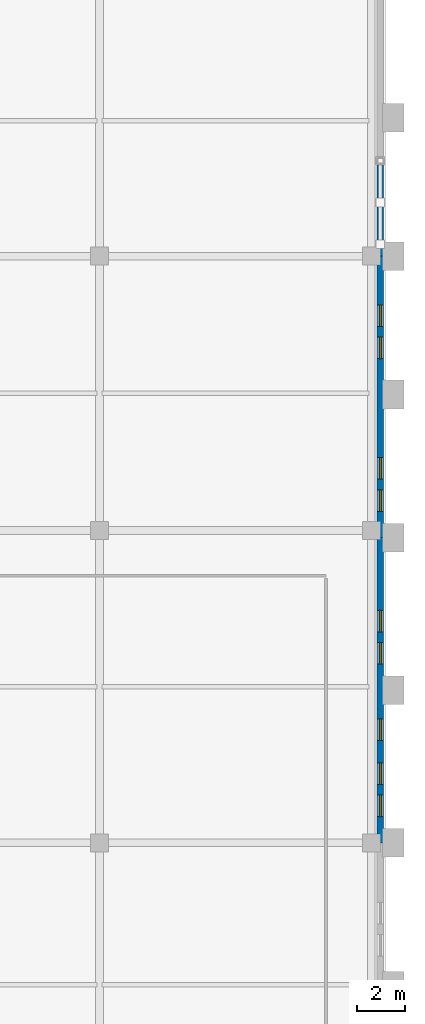
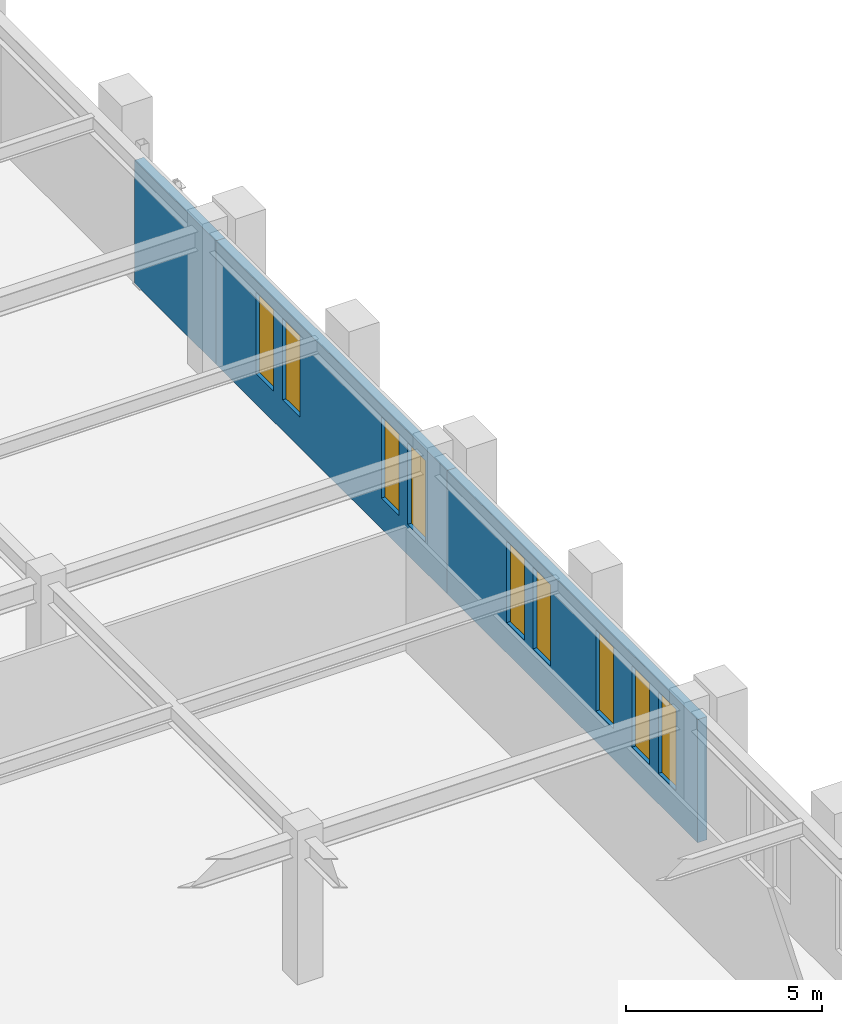
# One storey, part 101 of 126: 9 windows, 3 walls, 9 openings.
"""IFC4 building model written with IfcOpenShell, lengths in metres."""

from ifc_helpers import new_model, si_unit, derived_unit, direction, frame, frame_2d, origin, place, context, subcontext, project, spatial, rectangle, extrude, material, layer, layer_set, type_object, element, fill, save


model = new_model("IFC4")

# Units and contexts
model_context = context("Model", 3, precision=1e-05, world=origin(), true_north=direction((0.0, 1.0)))
body_context = subcontext(model_context, "Body", "Model", "MODEL_VIEW")
ifc_project = project(units=[si_unit("LENGTHUNIT", "METRE"), si_unit("AREAUNIT", "SQUARE_METRE"), si_unit("VOLUMEUNIT", "CUBIC_METRE"), si_unit("PLANEANGLEUNIT", "RADIAN"), si_unit("MASSUNIT", "GRAM", prefix="KILO"), derived_unit("THERMALTRANSMITTANCEUNIT", [(si_unit("MASSUNIT", "GRAM", prefix="KILO"), 1), (si_unit("TIMEUNIT", "SECOND"), -3), (si_unit("THERMODYNAMICTEMPERATUREUNIT", "KELVIN"), -1)])], contexts=[model_context])

# Site, building, storey
site_placement = place(None, origin())
site = spatial("IfcSite", under=ifc_project, at=site_placement, CompositionType="ELEMENT")
building_placement = place(site_placement, origin())
building = spatial("IfcBuilding", under=site, at=building_placement, Name="Valcora Ridge Arena", CompositionType="ELEMENT")
storey_placement = place(building_placement, frame((0.0, 0.0, 11.39990234375)))
storey = spatial("IfcBuildingStorey", under=building, at=storey_placement, Name="L02", CompositionType="ELEMENT", Elevation=11.39990234375)

# Wall, openings, windows
ifc_material_1 = material(Name="Bush-hammered Andean travertine on concrete backup C40/50", Category="masonry")
ifc_layer = layer(ifc_material_1, 0.280029296875, Name="Bush-hammered Andean travertine on concrete backup C40/50")
ifc_layer_set = layer_set([ifc_layer], Name="Bush-hammered Andean travertine on concrete backup C40/50")
wall_type = type_object("IfcWallType", Name="TY-WALL-EW-TRV-28-38", PredefinedType="STANDARD", material=ifc_layer_set)
wall_1_placement = place(storey_placement, frame((191.780029296875, 95.60009765625, 0.0), z_axis=(0.0, 0.0, 1.0), x_axis=(0.0, 1.0, 0.0)))
wall_1 = element("IfcWall", 1, at=wall_1_placement, inside=storey, type_object=wall_type, Name="EW-TRV-28-38 WAL-EW-0180", PredefinedType="STANDARD", context=body_context, shape_type="SweptSolid", body=[
    extrude(rectangle(XDim=12.7998046875, YDim=0.280029296875, at=frame_2d((6.39990234375, 0.0))), origin(), (0.0, 0.0, 1.0), 3.838134765625),
])
opening_1_placement = place(wall_1_placement, frame((1.10009765625, 0.0, 0.949951171875)))
opening_1 = element("IfcOpeningElement", 2, at=opening_1_placement, cuts=wall_1, Name="Opening W-GLAN-90X254", PredefinedType="OPENING", context=body_context, shape_type="SweptSolid", body=[
    extrude(rectangle(XDim=0.89990234375, YDim=2.5400390625, at=frame_2d((0.449951171875, 1.27001953125))), frame((0.0, 0.14990234375, 0.0), z_axis=(0.0, -1.0, 0.0), x_axis=(1.0, 0.0, 0.0)), (0.0, 0.0, 1.0), 0.300048828125),
])
opening_2_placement = place(wall_1_placement, frame((2.449951171875, 0.0, 0.949951171875)))
opening_2 = element("IfcOpeningElement", 3, at=opening_2_placement, cuts=wall_1, Name="Opening W-GLAN-90X254", PredefinedType="OPENING", context=body_context, shape_type="SweptSolid", body=[
    extrude(rectangle(XDim=0.89990234375, YDim=2.5400390625, at=frame_2d((0.449951171875, 1.27001953125))), frame((0.0, 0.14990234375, 0.0), z_axis=(0.0, -1.0, 0.0), x_axis=(1.0, 0.0, 0.0)), (0.0, 0.0, 1.0), 0.300048828125),
])
opening_3_placement = place(wall_1_placement, frame((4.300048828125, 0.0, 0.949951171875)))
opening_3 = element("IfcOpeningElement", 4, at=opening_3_placement, cuts=wall_1, Name="Opening W-GLAN-90X254", PredefinedType="OPENING", context=body_context, shape_type="SweptSolid", body=[
    extrude(rectangle(XDim=0.89990234375, YDim=2.5400390625, at=frame_2d((0.449951171875, 1.27001953125))), frame((0.0, 0.14990234375, 0.0), z_axis=(0.0, -1.0, 0.0), x_axis=(1.0, 0.0, 0.0)), (0.0, 0.0, 1.0), 0.300048828125),
])
opening_4_placement = place(wall_1_placement, frame((7.5, 0.0, 0.949951171875)))
opening_4 = element("IfcOpeningElement", 5, at=opening_4_placement, cuts=wall_1, Name="Opening W-GLAN-90X254", PredefinedType="OPENING", context=body_context, shape_type="SweptSolid", body=[
    extrude(rectangle(XDim=0.89990234375, YDim=2.5400390625, at=frame_2d((0.449951171875, 1.27001953125))), frame((0.0, 0.14990234375, 0.0), z_axis=(0.0, -1.0, 0.0), x_axis=(1.0, 0.0, 0.0)), (0.0, 0.0, 1.0), 0.300048828125),
])
opening_5_placement = place(wall_1_placement, frame((8.85009765625, 0.0, 0.949951171875)))
opening_5 = element("IfcOpeningElement", 6, at=opening_5_placement, cuts=wall_1, Name="Opening W-GLAN-90X254", PredefinedType="OPENING", context=body_context, shape_type="SweptSolid", body=[
    extrude(rectangle(XDim=0.89990234375, YDim=2.5400390625, at=frame_2d((0.449951171875, 1.27001953125))), frame((0.0, 0.14990234375, 0.0), z_axis=(0.0, -1.0, 0.0), x_axis=(1.0, 0.0, 0.0)), (0.0, 0.0, 1.0), 0.300048828125),
])
ifc_material_2 = material(Name="Low-iron solar-control double glazing SHGC 0.28", Category="glass")
window_type = type_object("IfcWindowType", Name="TY-WINDOW-W-GLAN-90X254", PartitioningType="DOUBLE_PANEL_VERTICAL", PredefinedType="WINDOW", material=ifc_material_2)
window_1_placement = place(opening_1_placement, origin())
window_1 = element("IfcWindow", 7, at=window_1_placement, inside=storey, type_object=window_type, Name="W-GLAN-90X254 WIN-EX-0547", OverallHeight=2.5400390625, OverallWidth=0.89990234375, PartitioningType="DOUBLE_PANEL_VERTICAL", PredefinedType="WINDOW", context=body_context, shape_type="SweptSolid", body=[
    extrude(rectangle(XDim=0.89990234375, YDim=2.5400390625, at=frame_2d((0.449951171875, 1.27001953125))), frame((0.0, 0.030029296875, 0.0), z_axis=(0.0, -1.0, 0.0), x_axis=(1.0, 0.0, 0.0)), (0.0, 0.0, 1.0), 0.06005859375),
])
fill(opening_1, window_1)
window_2_placement = place(opening_2_placement, origin())
window_2 = element("IfcWindow", 8, at=window_2_placement, inside=storey, type_object=window_type, Name="W-GLAN-90X254 WIN-EX-0548", OverallHeight=2.5400390625, OverallWidth=0.89990234375, PartitioningType="DOUBLE_PANEL_VERTICAL", PredefinedType="WINDOW", context=body_context, shape_type="SweptSolid", body=[
    extrude(rectangle(XDim=0.89990234375, YDim=2.5400390625, at=frame_2d((0.449951171875, 1.27001953125))), frame((0.0, 0.030029296875, 0.0), z_axis=(0.0, -1.0, 0.0), x_axis=(1.0, 0.0, 0.0)), (0.0, 0.0, 1.0), 0.06005859375),
])
fill(opening_2, window_2)
window_3_placement = place(opening_3_placement, origin())
window_3 = element("IfcWindow", 9, at=window_3_placement, inside=storey, type_object=window_type, Name="W-GLAN-90X254 WIN-EX-0549", OverallHeight=2.5400390625, OverallWidth=0.89990234375, PartitioningType="DOUBLE_PANEL_VERTICAL", PredefinedType="WINDOW", context=body_context, shape_type="SweptSolid", body=[
    extrude(rectangle(XDim=0.89990234375, YDim=2.5400390625, at=frame_2d((0.449951171875, 1.27001953125))), frame((0.0, 0.030029296875, 0.0), z_axis=(0.0, -1.0, 0.0), x_axis=(1.0, 0.0, 0.0)), (0.0, 0.0, 1.0), 0.06005859375),
])
fill(opening_3, window_3)
window_4_placement = place(opening_4_placement, origin())
window_4 = element("IfcWindow", 10, at=window_4_placement, inside=storey, type_object=window_type, Name="W-GLAN-90X254 WIN-EX-0550", OverallHeight=2.5400390625, OverallWidth=0.89990234375, PartitioningType="DOUBLE_PANEL_VERTICAL", PredefinedType="WINDOW", context=body_context, shape_type="SweptSolid", body=[
    extrude(rectangle(XDim=0.89990234375, YDim=2.5400390625, at=frame_2d((0.449951171875, 1.27001953125))), frame((0.0, 0.030029296875, 0.0), z_axis=(0.0, -1.0, 0.0), x_axis=(1.0, 0.0, 0.0)), (0.0, 0.0, 1.0), 0.06005859375),
])
fill(opening_4, window_4)
window_5_placement = place(opening_5_placement, origin())
window_5 = element("IfcWindow", 11, at=window_5_placement, inside=storey, type_object=window_type, Name="W-GLAN-90X254 WIN-EX-0551", OverallHeight=2.5400390625, OverallWidth=0.89990234375, PartitioningType="DOUBLE_PANEL_VERTICAL", PredefinedType="WINDOW", context=body_context, shape_type="SweptSolid", body=[
    extrude(rectangle(XDim=0.89990234375, YDim=2.5400390625, at=frame_2d((0.449951171875, 1.27001953125))), frame((0.0, 0.030029296875, 0.0), z_axis=(0.0, -1.0, 0.0), x_axis=(1.0, 0.0, 0.0)), (0.0, 0.0, 1.0), 0.06005859375),
])
fill(opening_5, window_5)

wall_2_placement = place(storey_placement, frame((191.780029296875, 108.39990234375, 0.0), z_axis=(0.0, 0.0, 1.0), x_axis=(0.0, 1.0, 0.0)))
wall_2 = element("IfcWall", 12, at=wall_2_placement, inside=storey, type_object=wall_type, Name="EW-TRV-28-38 WAL-EW-0181", PredefinedType="STANDARD", context=body_context, shape_type="SweptSolid", body=[
    extrude(rectangle(XDim=11.800048828125, YDim=0.280029296875, at=frame_2d((5.89990234375, 0.0))), origin(), (0.0, 0.0, 1.0), 3.838134765625),
])
opening_6_placement = place(wall_2_placement, frame((1.10009765625, 0.0, 0.949951171875)))
opening_6 = element("IfcOpeningElement", 13, at=opening_6_placement, cuts=wall_2, Name="Opening W-GLAN-90X254", PredefinedType="OPENING", context=body_context, shape_type="SweptSolid", body=[
    extrude(rectangle(XDim=0.89990234375, YDim=2.5400390625, at=frame_2d((0.449951171875, 1.27001953125))), frame((0.0, 0.14990234375, 0.0), z_axis=(0.0, -1.0, 0.0), x_axis=(1.0, 0.0, 0.0)), (0.0, 0.0, 1.0), 0.300048828125),
])
opening_7_placement = place(wall_2_placement, frame((2.449951171875, 0.0, 0.949951171875)))
opening_7 = element("IfcOpeningElement", 14, at=opening_7_placement, cuts=wall_2, Name="Opening W-GLAN-90X254", PredefinedType="OPENING", context=body_context, shape_type="SweptSolid", body=[
    extrude(rectangle(XDim=0.89990234375, YDim=2.5400390625, at=frame_2d((0.449951171875, 1.27001953125))), frame((0.0, 0.14990234375, 0.0), z_axis=(0.0, -1.0, 0.0), x_axis=(1.0, 0.0, 0.0)), (0.0, 0.0, 1.0), 0.300048828125),
])
opening_8_placement = place(wall_2_placement, frame((7.5, 0.0, 0.949951171875)))
opening_8 = element("IfcOpeningElement", 15, at=opening_8_placement, cuts=wall_2, Name="Opening W-GLAN-90X254", PredefinedType="OPENING", context=body_context, shape_type="SweptSolid", body=[
    extrude(rectangle(XDim=0.89990234375, YDim=2.5400390625, at=frame_2d((0.449951171875, 1.27001953125))), frame((0.0, 0.14990234375, 0.0), z_axis=(0.0, -1.0, 0.0), x_axis=(1.0, 0.0, 0.0)), (0.0, 0.0, 1.0), 0.300048828125),
])
opening_9_placement = place(wall_2_placement, frame((8.85009765625, 0.0, 0.949951171875)))
opening_9 = element("IfcOpeningElement", 16, at=opening_9_placement, cuts=wall_2, Name="Opening W-GLAN-90X254", PredefinedType="OPENING", context=body_context, shape_type="SweptSolid", body=[
    extrude(rectangle(XDim=0.89990234375, YDim=2.5400390625, at=frame_2d((0.449951171875, 1.27001953125))), frame((0.0, 0.14990234375, 0.0), z_axis=(0.0, -1.0, 0.0), x_axis=(1.0, 0.0, 0.0)), (0.0, 0.0, 1.0), 0.300048828125),
])
window_6_placement = place(opening_6_placement, origin())
window_6 = element("IfcWindow", 17, at=window_6_placement, inside=storey, type_object=window_type, Name="W-GLAN-90X254 WIN-EX-0552", OverallHeight=2.5400390625, OverallWidth=0.89990234375, PartitioningType="DOUBLE_PANEL_VERTICAL", PredefinedType="WINDOW", context=body_context, shape_type="SweptSolid", body=[
    extrude(rectangle(XDim=0.89990234375, YDim=2.5400390625, at=frame_2d((0.449951171875, 1.27001953125))), frame((0.0, 0.030029296875, 0.0), z_axis=(0.0, -1.0, 0.0), x_axis=(1.0, 0.0, 0.0)), (0.0, 0.0, 1.0), 0.06005859375),
])
fill(opening_6, window_6)
window_7_placement = place(opening_7_placement, origin())
window_7 = element("IfcWindow", 18, at=window_7_placement, inside=storey, type_object=window_type, Name="W-GLAN-90X254 WIN-EX-0553", OverallHeight=2.5400390625, OverallWidth=0.89990234375, PartitioningType="DOUBLE_PANEL_VERTICAL", PredefinedType="WINDOW", context=body_context, shape_type="SweptSolid", body=[
    extrude(rectangle(XDim=0.89990234375, YDim=2.5400390625, at=frame_2d((0.449951171875, 1.27001953125))), frame((0.0, 0.030029296875, 0.0), z_axis=(0.0, -1.0, 0.0), x_axis=(1.0, 0.0, 0.0)), (0.0, 0.0, 1.0), 0.06005859375),
])
fill(opening_7, window_7)
window_8_placement = place(opening_8_placement, origin())
window_8 = element("IfcWindow", 19, at=window_8_placement, inside=storey, type_object=window_type, Name="W-GLAN-90X254 WIN-EX-0554", OverallHeight=2.5400390625, OverallWidth=0.89990234375, PartitioningType="DOUBLE_PANEL_VERTICAL", PredefinedType="WINDOW", context=body_context, shape_type="SweptSolid", body=[
    extrude(rectangle(XDim=0.89990234375, YDim=2.5400390625, at=frame_2d((0.449951171875, 1.27001953125))), frame((0.0, 0.030029296875, 0.0), z_axis=(0.0, -1.0, 0.0), x_axis=(1.0, 0.0, 0.0)), (0.0, 0.0, 1.0), 0.06005859375),
])
fill(opening_8, window_8)
window_9_placement = place(opening_9_placement, origin())
window_9 = element("IfcWindow", 20, at=window_9_placement, inside=storey, type_object=window_type, Name="W-GLAN-90X254 WIN-EX-0555", OverallHeight=2.5400390625, OverallWidth=0.89990234375, PartitioningType="DOUBLE_PANEL_VERTICAL", PredefinedType="WINDOW", context=body_context, shape_type="SweptSolid", body=[
    extrude(rectangle(XDim=0.89990234375, YDim=2.5400390625, at=frame_2d((0.449951171875, 1.27001953125))), frame((0.0, 0.030029296875, 0.0), z_axis=(0.0, -1.0, 0.0), x_axis=(1.0, 0.0, 0.0)), (0.0, 0.0, 1.0), 0.06005859375),
])
fill(opening_9, window_9)

# Wall
wall_3_placement = place(storey_placement, frame((191.780029296875, 120.199951171875, 0.0), z_axis=(0.0, 0.0, 1.0), x_axis=(0.0, 1.0, 0.0)))
element("IfcWall", 21, at=wall_3_placement, inside=storey, type_object=wall_type, Name="EW-TRV-28-38 WAL-EW-0182", PredefinedType="STANDARD", context=body_context, shape_type="SweptSolid", body=[
    extrude(rectangle(XDim=4.150146484375, YDim=0.280029296875, at=frame_2d((2.0751953125, 0.0))), origin(), (0.0, 0.0, 1.0), 3.838134765625),
])

save(model, "model.ifc")
